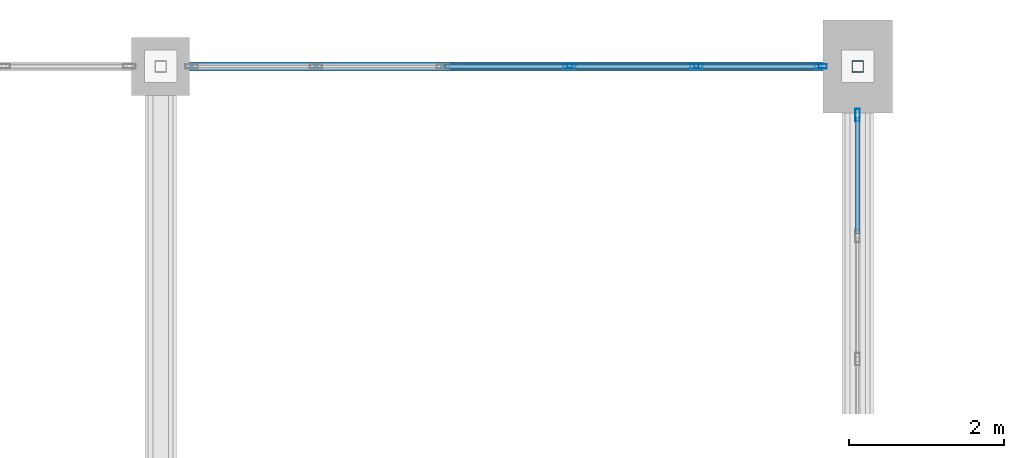
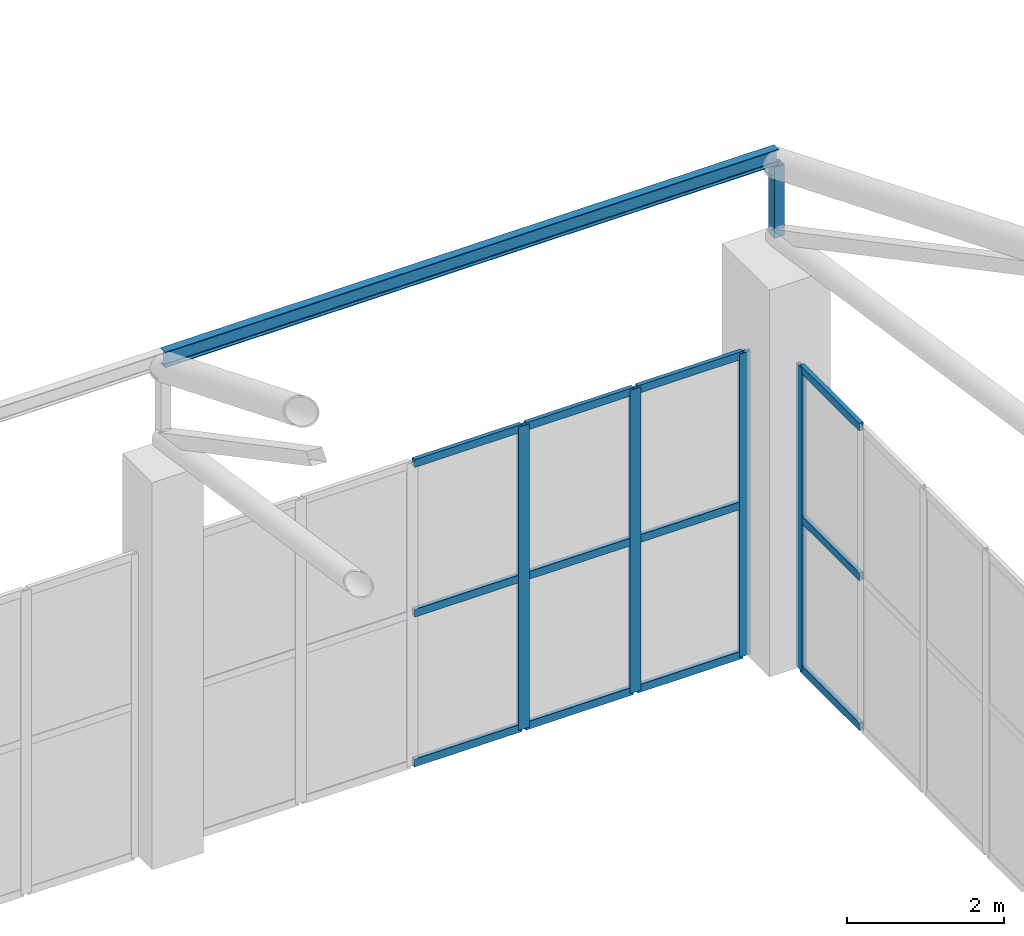
# One storey, part 163 of 223: 18 members, 2 elements without a shape of their own.
"""IFC4 building model written with IfcOpenShell, lengths in metres."""

from ifc_helpers import new_model, si_unit, direction, frame, origin, origin_2d, place, context, subcontext, project, spatial, hollow_rectangle, i_section, extrude, material, layer, layer_set, material_profile, profile_set, type_object, element, aggregate, save


model = new_model("IFC4")

# Units and contexts
model_context = context("Model", 3, precision=1e-05, world=origin(), true_north=direction((0.0, 1.0)))
body_context = subcontext(model_context, "Body", "Model", "MODEL_VIEW")
ifc_project = project(units=[si_unit("LENGTHUNIT", "METRE"), si_unit("AREAUNIT", "SQUARE_METRE"), si_unit("VOLUMEUNIT", "CUBIC_METRE"), si_unit("PLANEANGLEUNIT", "RADIAN"), si_unit("MASSUNIT", "GRAM", prefix="KILO")], contexts=[model_context])

# Site, building, storey
site_placement = place(None, origin())
site = spatial("IfcSite", under=ifc_project, at=site_placement, CompositionType="ELEMENT")
building_placement = place(site_placement, origin())
building = spatial("IfcBuilding", under=site, at=building_placement, Name="Dornveld Trade and Exhibition Forum", CompositionType="ELEMENT")
storey_placement = place(building_placement, frame((0.0, 0.0, 6.0)))
storey = spatial("IfcBuildingStorey", under=building, at=storey_placement, Name="L01", CompositionType="ELEMENT", Elevation=6.0)

# Curtain wall, member
ifc_material_1 = material(Name="Dark-bronze anodised aluminium and low-E glass", Category="aluminium")
ifc_layer_1 = layer(ifc_material_1, 0.193115234375)
ifc_layer_set_1 = layer_set([ifc_layer_1], Name="Dark-bronze anodised aluminium and low-E glass")
curtain_wall_type_1 = type_object("IfcCurtainWallType", Name="CW-SYS-17", PredefinedType="USERDEFINED", material=ifc_layer_set_1)
curtain_wall_1_placement = place(storey_placement, origin())
curtain_wall_1 = element("IfcCurtainWall", 1, at=curtain_wall_1_placement, inside=storey, type_object=curtain_wall_type_1, Name="L01 unitised curtain wall 17", ObjectType="UNITISED_CURTAIN_WALL", PredefinedType="USERDEFINED")
ifc_material_2 = material(Name="Dark-bronze anodised aluminium", Category="aluminium")
ifc_material_profile_1 = material_profile(ifc_material_2, hollow_rectangle(XDim=0.06005859375, YDim=0.159912109375, WallThickness=0.00390625, at=origin_2d()), Name="RHS 160x60x4")
ifc_profile_set_1 = profile_set([ifc_material_profile_1], Name="Dark-bronze anodised aluminium")
member_type_1 = type_object("IfcMemberType", Name="CW-MUL-160", PredefinedType="MULLION", material=ifc_profile_set_1)
member_1_placement = place(storey_placement, frame((171.0, 161.3740234375, -0.00390625), z_axis=(0.0, 0.0, 1.0), x_axis=(-1.0, 0.0, 0.0)))
member_1 = element("IfcMember", 2, at=member_1_placement, type_object=member_type_1, Name="CW-17 mullion 6", PredefinedType="MULLION", context=body_context, shape_type="SweptSolid", body=[
    extrude(hollow_rectangle(XDim=0.06005859375, YDim=0.159912109375, WallThickness=0.00390625, at=origin_2d()), origin(), (0.0, 0.0, 1.0), 4.703857421875),
])

# Curtain wall, members
ifc_material_3 = material(Name="Dark-bronze anodised aluminium and low-E glass", Category="aluminium")
ifc_layer_2 = layer(ifc_material_3, 0.14501953125)
ifc_layer_set_2 = layer_set([ifc_layer_2], Name="Dark-bronze anodised aluminium and low-E glass")
curtain_wall_type_2 = type_object("IfcCurtainWallType", Name="CW-SYS-01", PredefinedType="USERDEFINED", material=ifc_layer_set_2)
curtain_wall_2_placement = place(storey_placement, origin())
curtain_wall_2 = element("IfcCurtainWall", 3, at=curtain_wall_2_placement, inside=storey, type_object=curtain_wall_type_2, Name="L01 unitised curtain wall 145", ObjectType="UNITISED_CURTAIN_WALL", PredefinedType="USERDEFINED")
member_2_placement = place(storey_placement, frame((170.52392578125, 162.0, -0.00390625), z_axis=(0.0, 0.0, 1.0), x_axis=(0.0, -1.0, 0.0)))
member_2 = element("IfcMember", 4, at=member_2_placement, type_object=member_type_1, Name="CW-01 mullion 1", PredefinedType="MULLION", context=body_context, shape_type="SweptSolid", body=[
    extrude(hollow_rectangle(XDim=0.06005859375, YDim=0.159912109375, WallThickness=0.00390625, at=origin_2d()), origin(), (0.0, 0.0, 1.0), 4.703857421875),
])
member_3_placement = place(storey_placement, frame((168.91748046875, 162.0, -0.00390625), z_axis=(0.0, 0.0, 1.0), x_axis=(0.0, -1.0, 0.0)))
member_3 = element("IfcMember", 5, at=member_3_placement, type_object=member_type_1, Name="CW-01 mullion 2", PredefinedType="MULLION", context=body_context, shape_type="SweptSolid", body=[
    extrude(hollow_rectangle(XDim=0.06005859375, YDim=0.159912109375, WallThickness=0.00390625, at=origin_2d()), origin(), (0.0, 0.0, 1.0), 4.703857421875),
])
member_4_placement = place(storey_placement, frame((167.28076171875, 162.0, -0.00390625), z_axis=(0.0, 0.0, 1.0), x_axis=(0.0, -1.0, 0.0)))
member_4 = element("IfcMember", 6, at=member_4_placement, type_object=member_type_1, Name="CW-01 mullion 3", PredefinedType="MULLION", context=body_context, shape_type="SweptSolid", body=[
    extrude(hollow_rectangle(XDim=0.06005859375, YDim=0.159912109375, WallThickness=0.00390625, at=origin_2d()), origin(), (0.0, 0.0, 1.0), 4.703857421875),
])

# Member
ifc_material_4 = material(Name="Dark-bronze anodised aluminium", Category="aluminium")
ifc_material_profile_2 = material_profile(ifc_material_4, hollow_rectangle(XDim=0.06005859375, YDim=0.1201171875, WallThickness=0.00390625, at=origin_2d()), Name="RHS 120x60x4")
ifc_profile_set_2 = profile_set([ifc_material_profile_2], Name="Dark-bronze anodised aluminium")
member_type_2 = type_object("IfcMemberType", Name="CW-TRN-120", PredefinedType="USERDEFINED", material=ifc_profile_set_2)
member_5_placement = place(storey_placement, frame((171.0, 159.84228515625, 0.02587890625), z_axis=(0.0, 1.0, 0.0), x_axis=(-1.0, 0.0, 0.0)))
member_5 = element("IfcMember", 7, at=member_5_placement, type_object=member_type_2, Name="CW-17 transom 5.1", ObjectType="TRANSOM", PredefinedType="USERDEFINED", context=body_context, shape_type="SweptSolid", body=[
    extrude(hollow_rectangle(XDim=0.06005859375, YDim=0.1201171875, WallThickness=0.00390625, at=origin_2d()), origin(), (0.0, 0.0, 1.0), 1.501708984375),
])

member_6_placement = place(storey_placement, frame((171.0, 159.84228515625, 2.347900390625), z_axis=(0.0, 1.0, 0.0), x_axis=(-1.0, 0.0, 0.0)))
member_6 = element("IfcMember", 8, at=member_6_placement, type_object=member_type_2, Name="CW-17 transom 5.2", ObjectType="TRANSOM", PredefinedType="USERDEFINED", context=body_context, shape_type="SweptSolid", body=[
    extrude(hollow_rectangle(XDim=0.06005859375, YDim=0.1201171875, WallThickness=0.00390625, at=origin_2d()), origin(), (0.0, 0.0, 1.0), 1.501708984375),
])

member_7_placement = place(storey_placement, frame((171.0, 159.84228515625, 4.669921875), z_axis=(0.0, 1.0, 0.0), x_axis=(-1.0, 0.0, 0.0)))
member_7 = element("IfcMember", 9, at=member_7_placement, type_object=member_type_2, Name="CW-17 transom 5.3", ObjectType="TRANSOM", PredefinedType="USERDEFINED", context=body_context, shape_type="SweptSolid", body=[
    extrude(hollow_rectangle(XDim=0.06005859375, YDim=0.1201171875, WallThickness=0.00390625, at=origin_2d()), origin(), (0.0, 0.0, 1.0), 1.501708984375),
])

aggregate(curtain_wall_1, [member_1, member_5, member_6, member_7])

member_8_placement = place(storey_placement, frame((170.493896484375, 162.0, 0.02587890625), z_axis=(-1.0, 0.0, 0.0), x_axis=(0.0, -1.0, 0.0)))
member_8 = element("IfcMember", 10, at=member_8_placement, type_object=member_type_2, Name="CW-01 transom 1.1", ObjectType="TRANSOM", PredefinedType="USERDEFINED", context=body_context, shape_type="SweptSolid", body=[
    extrude(hollow_rectangle(XDim=0.06005859375, YDim=0.1201171875, WallThickness=0.00390625, at=origin_2d()), origin(), (0.0, 0.0, 1.0), 1.54638671875),
])

member_9_placement = place(storey_placement, frame((170.493896484375, 162.0, 2.347900390625), z_axis=(-1.0, 0.0, 0.0), x_axis=(0.0, -1.0, 0.0)))
member_9 = element("IfcMember", 11, at=member_9_placement, type_object=member_type_2, Name="CW-01 transom 1.2", ObjectType="TRANSOM", PredefinedType="USERDEFINED", context=body_context, shape_type="SweptSolid", body=[
    extrude(hollow_rectangle(XDim=0.06005859375, YDim=0.1201171875, WallThickness=0.00390625, at=origin_2d()), origin(), (0.0, 0.0, 1.0), 1.54638671875),
])

member_10_placement = place(storey_placement, frame((170.493896484375, 162.0, 4.669921875), z_axis=(-1.0, 0.0, 0.0), x_axis=(0.0, -1.0, 0.0)))
member_10 = element("IfcMember", 12, at=member_10_placement, type_object=member_type_2, Name="CW-01 transom 1.3", ObjectType="TRANSOM", PredefinedType="USERDEFINED", context=body_context, shape_type="SweptSolid", body=[
    extrude(hollow_rectangle(XDim=0.06005859375, YDim=0.1201171875, WallThickness=0.00390625, at=origin_2d()), origin(), (0.0, 0.0, 1.0), 1.54638671875),
])

member_11_placement = place(storey_placement, frame((168.887451171875, 162.0, 0.02587890625), z_axis=(-1.0, 0.0, 0.0), x_axis=(0.0, -1.0, 0.0)))
member_11 = element("IfcMember", 13, at=member_11_placement, type_object=member_type_2, Name="CW-01 transom 2.1", ObjectType="TRANSOM", PredefinedType="USERDEFINED", context=body_context, shape_type="SweptSolid", body=[
    extrude(hollow_rectangle(XDim=0.06005859375, YDim=0.1201171875, WallThickness=0.00390625, at=origin_2d()), origin(), (0.0, 0.0, 1.0), 1.57666015625),
])

member_12_placement = place(storey_placement, frame((168.887451171875, 162.0, 2.347900390625), z_axis=(-1.0, 0.0, 0.0), x_axis=(0.0, -1.0, 0.0)))
member_12 = element("IfcMember", 14, at=member_12_placement, type_object=member_type_2, Name="CW-01 transom 2.2", ObjectType="TRANSOM", PredefinedType="USERDEFINED", context=body_context, shape_type="SweptSolid", body=[
    extrude(hollow_rectangle(XDim=0.06005859375, YDim=0.1201171875, WallThickness=0.00390625, at=origin_2d()), origin(), (0.0, 0.0, 1.0), 1.57666015625),
])

member_13_placement = place(storey_placement, frame((168.887451171875, 162.0, 4.669921875), z_axis=(-1.0, 0.0, 0.0), x_axis=(0.0, -1.0, 0.0)))
member_13 = element("IfcMember", 15, at=member_13_placement, type_object=member_type_2, Name="CW-01 transom 2.3", ObjectType="TRANSOM", PredefinedType="USERDEFINED", context=body_context, shape_type="SweptSolid", body=[
    extrude(hollow_rectangle(XDim=0.06005859375, YDim=0.1201171875, WallThickness=0.00390625, at=origin_2d()), origin(), (0.0, 0.0, 1.0), 1.57666015625),
])

member_14_placement = place(storey_placement, frame((167.250732421875, 162.0, 0.02587890625), z_axis=(-1.0, 0.0, 0.0), x_axis=(0.0, -1.0, 0.0)))
member_14 = element("IfcMember", 16, at=member_14_placement, type_object=member_type_2, Name="CW-01 transom 3.1", ObjectType="TRANSOM", PredefinedType="USERDEFINED", context=body_context, shape_type="SweptSolid", body=[
    extrude(hollow_rectangle(XDim=0.06005859375, YDim=0.1201171875, WallThickness=0.00390625, at=origin_2d()), origin(), (0.0, 0.0, 1.0), 1.576416015625),
])

member_15_placement = place(storey_placement, frame((167.250732421875, 162.0, 2.347900390625), z_axis=(-1.0, 0.0, 0.0), x_axis=(0.0, -1.0, 0.0)))
member_15 = element("IfcMember", 17, at=member_15_placement, type_object=member_type_2, Name="CW-01 transom 3.2", ObjectType="TRANSOM", PredefinedType="USERDEFINED", context=body_context, shape_type="SweptSolid", body=[
    extrude(hollow_rectangle(XDim=0.06005859375, YDim=0.1201171875, WallThickness=0.00390625, at=origin_2d()), origin(), (0.0, 0.0, 1.0), 1.576416015625),
])

member_16_placement = place(storey_placement, frame((167.250732421875, 162.0, 4.669921875), z_axis=(-1.0, 0.0, 0.0), x_axis=(0.0, -1.0, 0.0)))
member_16 = element("IfcMember", 18, at=member_16_placement, type_object=member_type_2, Name="CW-01 transom 3.3", ObjectType="TRANSOM", PredefinedType="USERDEFINED", context=body_context, shape_type="SweptSolid", body=[
    extrude(hollow_rectangle(XDim=0.06005859375, YDim=0.1201171875, WallThickness=0.00390625, at=origin_2d()), origin(), (0.0, 0.0, 1.0), 1.576416015625),
])

aggregate(curtain_wall_2, [member_2, member_3, member_4, member_8, member_9, member_10, member_11, member_12, member_13, member_14, member_15, member_16])

# Members
ifc_material_5 = material(Name="Steel S355J2", Category="steel")
ifc_material_profile_3 = material_profile(ifc_material_5, hollow_rectangle(XDim=0.14990234375, YDim=0.14990234375, WallThickness=0.008056640625, at=origin_2d()), Name="SHS 150x150x8")
ifc_profile_set_3 = profile_set([ifc_material_profile_3], Name="Steel S355J2")
member_type_3 = type_object("IfcMemberType", Name="MEM-ARCH-STR", PredefinedType="STRUT", material=ifc_profile_set_3)
member_17_placement = place(storey_placement, frame((171.0, 162.0, 6.35009765625), z_axis=(0.0, 0.0, 1.0), x_axis=(1.0, 0.0, 0.0)))
element("IfcMember", 19, at=member_17_placement, inside=storey, type_object=member_type_3, Name="H1 truss 9 end strut", PredefinedType="STRUT", context=body_context, shape_type="SweptSolid", body=[
    extrude(hollow_rectangle(XDim=0.14990234375, YDim=0.14990234375, WallThickness=0.008056640625, at=origin_2d()), origin(), (0.0, 0.0, 1.0), 1.099853515625),
])
ifc_material_6 = material(Name="Steel S355J2", Category="steel")
ifc_material_profile_4 = material_profile(ifc_material_6, i_section(OverallWidth=0.1201171875, OverallDepth=0.239990234375, WebThickness=0.006103515625, FlangeThickness=0.009765625, FilletRadius=0.014892578125, at=origin_2d()), Name="IPE 240")
ifc_profile_set_4 = profile_set([ifc_material_profile_4], Name="Steel S355J2")
member_type_4 = type_object("IfcMemberType", Name="MEM-PURLIN-240", PredefinedType="PURLIN", material=ifc_profile_set_4)
member_18_placement = place(storey_placement, frame((162.0, 162.0, 7.58203125), z_axis=(1.0, 0.0, 0.0), x_axis=(0.0, 1.0, 0.0)))
element("IfcMember", 20, at=member_18_placement, inside=storey, type_object=member_type_4, Name="H1 bay 8 roof purlin 7", PredefinedType="PURLIN", context=body_context, shape_type="SweptSolid", body=[
    extrude(i_section(OverallWidth=0.1201171875, OverallDepth=0.239990234375, WebThickness=0.006103515625, FlangeThickness=0.009765625, FilletRadius=0.014892578125, at=origin_2d()), origin(), (0.0, 0.0, 1.0), 9.0),
])

save(model, "model.ifc")
